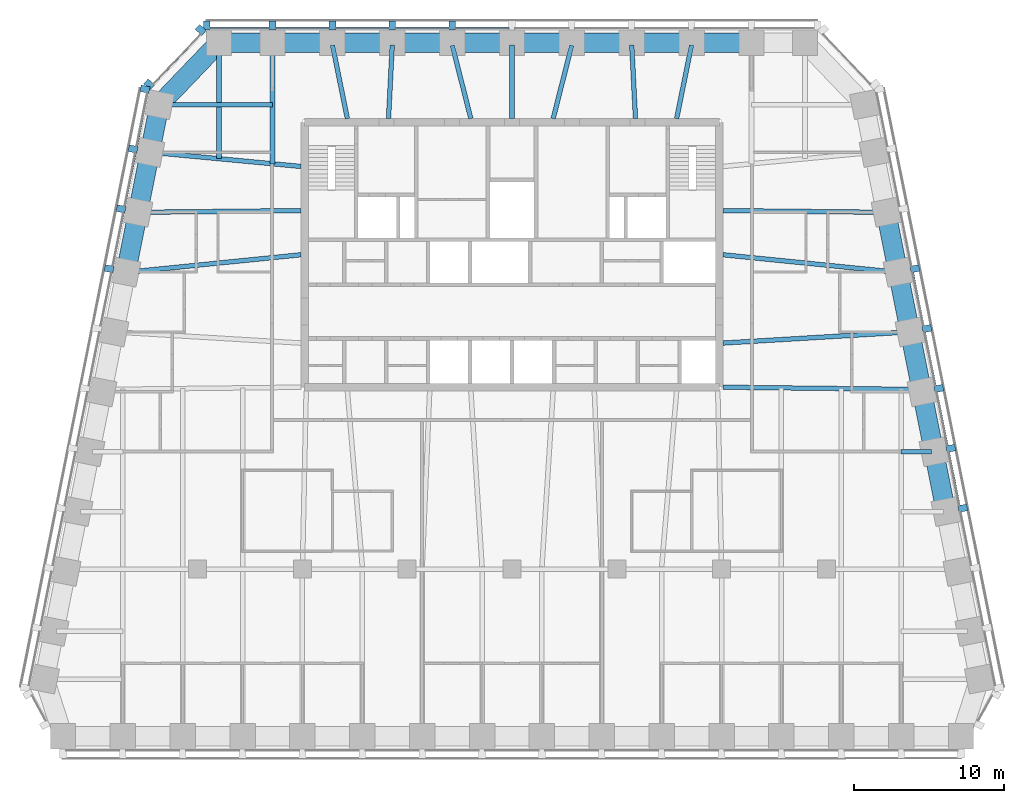
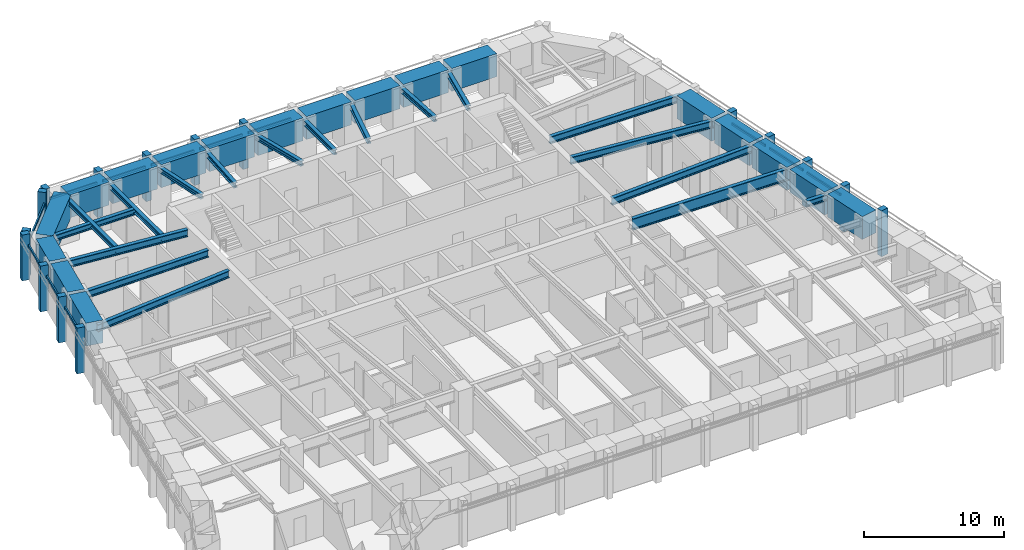
# One storey, part 3 of 11: 36 beams, 29 members, 4 elements without a shape of their own.
"""IFC4 building model written with IfcOpenShell, lengths in metres."""

from ifc_helpers import new_model, si_unit, direction, frame, origin, origin_2d, place, context, subcontext, project, spatial, rectangle, i_section, extrude, material, material_profile, profile_set, type_object, element, aggregate, save


model = new_model("IFC4")

# Units and contexts
model_context = context("Model", 3, precision=1e-05, world=origin(), true_north=direction((0.0, 1.0)))
body_context = subcontext(model_context, "Body", "Model", "MODEL_VIEW")
ifc_project = project(units=[si_unit("LENGTHUNIT", "METRE"), si_unit("AREAUNIT", "SQUARE_METRE"), si_unit("VOLUMEUNIT", "CUBIC_METRE"), si_unit("PLANEANGLEUNIT", "RADIAN"), si_unit("MASSUNIT", "GRAM", prefix="KILO")], contexts=[model_context])

# Site, building, storey
site_placement = place(None, origin())
site = spatial("IfcSite", under=ifc_project, at=site_placement, CompositionType="ELEMENT")
building_placement = place(site_placement, origin())
building = spatial("IfcBuilding", under=site, at=building_placement, Name="Isbrekke Arena Tower", CompositionType="ELEMENT")
storey_placement = place(building_placement, frame((0.0, 0.0, 248.0)))
storey = spatial("IfcBuildingStorey", under=building, at=storey_placement, Name="L57", CompositionType="ELEMENT", Elevation=248.0)

# Beams
ifc_material_1 = material(Name="Steel S355", Category="steel")
ifc_material_profile_1 = material_profile(ifc_material_1, i_section(OverallWidth=0.304931640625, OverallDepth=0.6201171875, WebThickness=0.02099609375, FlangeThickness=0.0400390625, FilletRadius=0.027099609375, at=origin_2d()), Name="HEM 600")
ifc_profile_set_1 = profile_set([ifc_material_profile_1], Name="Steel S355")
beam_type_1 = type_object("IfcBeamType", Name="B4 HEM 600", PredefinedType="BEAM", material=ifc_profile_set_1)
beam_1_placement = place(storey_placement, frame((26.431884765625, 9.837646484375, 3.5400390625), z_axis=(-0.998216240514, -0.059702070095, 0.0), x_axis=(0.059702070095, -0.998216240514, 0.0)))
element("IfcBeam", 1, at=beam_1_placement, inside=storey, type_object=beam_type_1, Name="B4 beam E-E07 L57", PredefinedType="BEAM", context=body_context, shape_type="SweptSolid", body=[
    extrude(i_section(OverallWidth=0.304931640625, OverallDepth=0.6201171875, WebThickness=0.02099609375, FlangeThickness=0.0400390625, FilletRadius=0.027099609375, at=origin_2d()), origin(), (0.0, 0.0, 1.0), 12.353759765625),
])
beam_2_placement = place(storey_placement, frame((25.625732421875, 13.83984375, 3.5400390625), z_axis=(-0.994972081505, 0.100152668587, 0.0), x_axis=(-0.100152668587, -0.994972081505, 0.0)))
element("IfcBeam", 2, at=beam_2_placement, inside=storey, type_object=beam_type_1, Name="B4 beam E-E08 L57", PredefinedType="BEAM", context=body_context, shape_type="SweptSolid", body=[
    extrude(i_section(OverallWidth=0.304931640625, OverallDepth=0.6201171875, WebThickness=0.02099609375, FlangeThickness=0.0400390625, FilletRadius=0.027099609375, at=origin_2d()), origin(), (0.0, 0.0, 1.0), 11.583984375),
])
beam_3_placement = place(storey_placement, frame((24.83935546875, 17.838134765625, 3.5400390625), z_axis=(-0.999945800258, 0.010411366203, 0.0), x_axis=(-0.010411366203, -0.999945800258, 0.0)))
element("IfcBeam", 3, at=beam_3_placement, inside=storey, type_object=beam_type_1, Name="B4 beam E-E09 L57", PredefinedType="BEAM", context=body_context, shape_type="SweptSolid", body=[
    extrude(i_section(OverallWidth=0.304931640625, OverallDepth=0.6201171875, WebThickness=0.02099609375, FlangeThickness=0.0400390625, FilletRadius=0.027099609375, at=origin_2d()), origin(), (0.0, 0.0, 1.0), 10.73974609375),
])
beam_4_placement = place(storey_placement, frame((-24.02685546875, 21.8369140625, 3.5400390625), z_axis=(0.995574576627, -0.093974796485, 0.0), x_axis=(0.093974796485, 0.995574576627, 0.0)))
element("IfcBeam", 4, at=beam_4_placement, inside=storey, type_object=beam_type_1, Name="B4 beam E-W02 L57", PredefinedType="BEAM", context=body_context, shape_type="SweptSolid", body=[
    extrude(i_section(OverallWidth=0.304931640625, OverallDepth=0.6201171875, WebThickness=0.02099609375, FlangeThickness=0.0400390625, FilletRadius=0.027099609375, at=origin_2d()), origin(), (0.0, 0.0, 1.0), 9.970947265625),
])
beam_5_placement = place(storey_placement, frame((-24.83935546875, 17.838134765625, 3.5400390625), z_axis=(0.999945800258, 0.010411366203, 0.0), x_axis=(-0.010411366203, 0.999945800258, 0.0)))
element("IfcBeam", 5, at=beam_5_placement, inside=storey, type_object=beam_type_1, Name="B4 beam E-W03 L57", PredefinedType="BEAM", context=body_context, shape_type="SweptSolid", body=[
    extrude(i_section(OverallWidth=0.304931640625, OverallDepth=0.6201171875, WebThickness=0.02099609375, FlangeThickness=0.0400390625, FilletRadius=0.027099609375, at=origin_2d()), origin(), (0.0, 0.0, 1.0), 10.73974609375),
])
beam_6_placement = place(storey_placement, frame((-25.625732421875, 13.83984375, 3.5400390625), z_axis=(0.994972081505, 0.100152668587, 0.0), x_axis=(-0.100152668587, 0.994972081505, 0.0)))
element("IfcBeam", 6, at=beam_6_placement, inside=storey, type_object=beam_type_1, Name="B4 beam E-W04 L57", PredefinedType="BEAM", context=body_context, shape_type="SweptSolid", body=[
    extrude(i_section(OverallWidth=0.304931640625, OverallDepth=0.6201171875, WebThickness=0.02099609375, FlangeThickness=0.0400390625, FilletRadius=0.027099609375, at=origin_2d()), origin(), (0.0, 0.0, 1.0), 11.583984375),
])
ifc_material_2 = material(Name="Steel S355", Category="steel")
ifc_material_profile_2 = material_profile(ifc_material_2, i_section(OverallWidth=0.305908203125, OverallDepth=0.52392578125, WebThickness=0.02099609375, FlangeThickness=0.0400390625, FilletRadius=0.027099609375, at=origin_2d()), Name="HEM 500")
ifc_profile_set_2 = profile_set([ifc_material_profile_2], Name="Steel S355")
beam_type_2 = type_object("IfcBeamType", Name="B5 HEM 500", PredefinedType="BEAM", material=ifc_profile_set_2)
beam_7_placement = place(storey_placement, frame((28.041015625, 1.838134765625, 3.587890625), z_axis=(-1.0, 0.0, 0.0), x_axis=(0.0, -1.0, 0.0)))
element("IfcBeam", 7, at=beam_7_placement, inside=storey, type_object=beam_type_2, Name="B5 beam E-E05 L57", PredefinedType="BEAM", context=body_context, shape_type="SweptSolid", body=[
    extrude(i_section(OverallWidth=0.305908203125, OverallDepth=0.52392578125, WebThickness=0.02099609375, FlangeThickness=0.0400390625, FilletRadius=0.027099609375, at=origin_2d()), origin(), (0.0, 0.0, 1.0), 2.041015625),
])
beam_8_placement = place(storey_placement, frame((-23.40283203125, 25.029296875, 3.587890625), z_axis=(1.0, 0.0, 0.0), x_axis=(0.0, 1.0, 0.0)))
element("IfcBeam", 8, at=beam_8_placement, inside=storey, type_object=beam_type_2, Name="B5 beam E-W01 L57", PredefinedType="BEAM", context=body_context, shape_type="SweptSolid", body=[
    extrude(i_section(OverallWidth=0.305908203125, OverallDepth=0.52392578125, WebThickness=0.02099609375, FlangeThickness=0.0400390625, FilletRadius=0.027099609375, at=origin_2d()), origin(), (0.0, 0.0, 1.0), 7.40283203125),
])
ifc_material_3 = material(Name="Steel S355", Category="steel")
ifc_material_profile_3 = material_profile(ifc_material_3, i_section(OverallWidth=0.306884765625, OverallDepth=0.431884765625, WebThickness=0.02099609375, FlangeThickness=0.0400390625, FilletRadius=0.027099609375, at=origin_2d()), Name="HEM 400")
ifc_profile_set_3 = profile_set([ifc_material_profile_3], Name="Steel S355")
beam_type_3 = type_object("IfcBeamType", Name="B6 HEM 400", PredefinedType="BEAM", material=ifc_profile_set_3)
beam_9_placement = place(storey_placement, frame((-16.0, 29.02490234375, 3.634033203125), z_axis=(0.0, -1.0, 0.0), x_axis=(1.0, 0.0, 0.0)))
element("IfcBeam", 9, at=beam_9_placement, inside=storey, type_object=beam_type_3, Name="B6 beam N-N10 L57", PredefinedType="BEAM", context=body_context, shape_type="SweptSolid", body=[
    extrude(i_section(OverallWidth=0.306884765625, OverallDepth=0.431884765625, WebThickness=0.02099609375, FlangeThickness=0.0400390625, FilletRadius=0.027099609375, at=origin_2d()), origin(), (0.0, 0.0, 1.0), 7.945556640625),
])
beam_10_placement = place(storey_placement, frame((-19.574951171875, 29.02490234375, 3.634033203125), z_axis=(0.0, -1.0, 0.0), x_axis=(1.0, 0.0, 0.0)))
element("IfcBeam", 10, at=beam_10_placement, inside=storey, type_object=beam_type_3, Name="B6 beam N-N11 L57", PredefinedType="BEAM", context=body_context, shape_type="SweptSolid", body=[
    extrude(i_section(OverallWidth=0.306884765625, OverallDepth=0.431884765625, WebThickness=0.02099609375, FlangeThickness=0.0400390625, FilletRadius=0.027099609375, at=origin_2d()), origin(), (0.0, 0.0, 1.0), 7.608154296875),
])
beam_11_placement = place(storey_placement, frame((11.993896484375, 28.9951171875, 3.634033203125), z_axis=(-0.198982177337, -0.980003108721, 0.0), x_axis=(0.980003108721, -0.198982177337, 0.0)))
element("IfcBeam", 11, at=beam_11_placement, inside=storey, type_object=beam_type_3, Name="B6 beam N-N03 L57", PredefinedType="BEAM", context=body_context, shape_type="SweptSolid", body=[
    extrude(i_section(OverallWidth=0.306884765625, OverallDepth=0.431884765625, WebThickness=0.02099609375, FlangeThickness=0.0400390625, FilletRadius=0.027099609375, at=origin_2d()), origin(), (0.0, 0.0, 1.0), 4.994873046875),
])
beam_12_placement = place(storey_placement, frame((8.00048828125, 29.017333984375, 3.634033203125), z_axis=(0.050677067868, -0.998715091902, 0.0), x_axis=(0.998715091902, 0.050677067868, 0.0)))
element("IfcBeam", 12, at=beam_12_placement, inside=storey, type_object=beam_type_3, Name="B6 beam N-N04 L57", PredefinedType="BEAM", context=body_context, shape_type="SweptSolid", body=[
    extrude(i_section(OverallWidth=0.306884765625, OverallDepth=0.431884765625, WebThickness=0.02099609375, FlangeThickness=0.0400390625, FilletRadius=0.027099609375, at=origin_2d()), origin(), (0.0, 0.0, 1.0), 4.923583984375),
])
beam_13_placement = place(storey_placement, frame((3.99072265625, 28.98828125, 3.634033203125), z_axis=(-0.246019579109, -0.969264858898, 0.0), x_axis=(0.969264858898, -0.246019579109, 0.0)))
element("IfcBeam", 13, at=beam_13_placement, inside=storey, type_object=beam_type_3, Name="B6 beam N-N05 L57", PredefinedType="BEAM", context=body_context, shape_type="SweptSolid", body=[
    extrude(i_section(OverallWidth=0.306884765625, OverallDepth=0.431884765625, WebThickness=0.02099609375, FlangeThickness=0.0400390625, FilletRadius=0.027099609375, at=origin_2d()), origin(), (0.0, 0.0, 1.0), 5.043212890625),
])
beam_14_placement = place(storey_placement, frame((0.0, 29.02490234375, 3.634033203125), z_axis=(0.0, -1.0, 0.0), x_axis=(1.0, 0.0, 0.0)))
element("IfcBeam", 14, at=beam_14_placement, inside=storey, type_object=beam_type_3, Name="B6 beam N-N06 L57", PredefinedType="BEAM", context=body_context, shape_type="SweptSolid", body=[
    extrude(i_section(OverallWidth=0.306884765625, OverallDepth=0.431884765625, WebThickness=0.02099609375, FlangeThickness=0.0400390625, FilletRadius=0.027099609375, at=origin_2d()), origin(), (0.0, 0.0, 1.0), 4.9248046875),
])
beam_15_placement = place(storey_placement, frame((-3.99072265625, 28.98828125, 3.634033203125), z_axis=(0.246019579109, -0.969264858898, 0.0), x_axis=(0.969264858898, 0.246019579109, 0.0)))
element("IfcBeam", 15, at=beam_15_placement, inside=storey, type_object=beam_type_3, Name="B6 beam N-N07 L57", PredefinedType="BEAM", context=body_context, shape_type="SweptSolid", body=[
    extrude(i_section(OverallWidth=0.306884765625, OverallDepth=0.431884765625, WebThickness=0.02099609375, FlangeThickness=0.0400390625, FilletRadius=0.027099609375, at=origin_2d()), origin(), (0.0, 0.0, 1.0), 5.043212890625),
])
beam_16_placement = place(storey_placement, frame((-8.00048828125, 29.017333984375, 3.634033203125), z_axis=(-0.050677067868, -0.998715091902, 0.0), x_axis=(0.998715091902, -0.050677067868, 0.0)))
element("IfcBeam", 16, at=beam_16_placement, inside=storey, type_object=beam_type_3, Name="B6 beam N-N08 L57", PredefinedType="BEAM", context=body_context, shape_type="SweptSolid", body=[
    extrude(i_section(OverallWidth=0.306884765625, OverallDepth=0.431884765625, WebThickness=0.02099609375, FlangeThickness=0.0400390625, FilletRadius=0.027099609375, at=origin_2d()), origin(), (0.0, 0.0, 1.0), 4.923583984375),
])
beam_17_placement = place(storey_placement, frame((-11.993896484375, 28.9951171875, 3.634033203125), z_axis=(0.198982177337, -0.980003108721, 0.0), x_axis=(0.980003108721, 0.198982177337, 0.0)))
element("IfcBeam", 17, at=beam_17_placement, inside=storey, type_object=beam_type_3, Name="B6 beam N-N09 L57", PredefinedType="BEAM", context=body_context, shape_type="SweptSolid", body=[
    extrude(i_section(OverallWidth=0.306884765625, OverallDepth=0.431884765625, WebThickness=0.02099609375, FlangeThickness=0.0400390625, FilletRadius=0.027099609375, at=origin_2d()), origin(), (0.0, 0.0, 1.0), 4.994873046875),
])

# Curtain wall, members
ifc_material_4 = material(Name="Glazed aluminium curtain wall", Category="aluminium")
curtain_wall_type = type_object("IfcCurtainWallType", Name="CWT TOWER CURTAIN WALL TOP ZONE", PredefinedType="USERDEFINED", material=ifc_material_4)
curtain_wall_1_placement = place(storey_placement, origin())
curtain_wall_1 = element("IfcCurtainWall", 18, at=curtain_wall_1_placement, inside=storey, type_object=curtain_wall_type, Name="CWT curtain wall L57-E", ObjectType="TOWER CURTAIN WALL TOP ZONE", PredefinedType="USERDEFINED")
ifc_material_5 = material(Name="Copper-clad aluminium mullion", Category="aluminium")
ifc_material_profile_4 = material_profile(ifc_material_5, rectangle(XDim=0.449951171875, YDim=0.60009765625, at=origin_2d()), Name="PIER 450X600")
ifc_profile_set_4 = profile_set([ifc_material_profile_4], Name="Copper-clad aluminium mullion")
member_type_1 = type_object("IfcMemberType", Name="CWT-M PIER MULLION 450 x 600", PredefinedType="MULLION", material=ifc_profile_set_4)
member_1_placement = place(storey_placement, frame((30.11865234375, -1.936279296875, 0.0), z_axis=(0.0, 0.0, 1.0), x_axis=(-0.196116135138, 0.980580675691, 0.0)))
member_1 = element("IfcMember", 19, at=member_1_placement, type_object=member_type_1, Name="CWT-M mullion 4", PredefinedType="MULLION", context=body_context, shape_type="SweptSolid", body=[
    extrude(rectangle(XDim=0.449951171875, YDim=0.60009765625, at=origin_2d()), origin(), (0.0, 0.0, 1.0), 4.0),
])
member_2_placement = place(storey_placement, frame((29.318603515625, 2.063720703125, 0.0), z_axis=(0.0, 0.0, 1.0), x_axis=(-0.196116135138, 0.980580675691, 0.0)))
member_2 = element("IfcMember", 20, at=member_2_placement, type_object=member_type_1, Name="CWT-M mullion 5", PredefinedType="MULLION", context=body_context, shape_type="SweptSolid", body=[
    extrude(rectangle(XDim=0.449951171875, YDim=0.60009765625, at=origin_2d()), origin(), (0.0, 0.0, 1.0), 4.0),
])
member_3_placement = place(storey_placement, frame((28.518798828125, 6.063720703125, 0.0), z_axis=(0.0, 0.0, 1.0), x_axis=(-0.196116135138, 0.980580675691, 0.0)))
member_3 = element("IfcMember", 21, at=member_3_placement, type_object=member_type_1, Name="CWT-M mullion 6", PredefinedType="MULLION", context=body_context, shape_type="SweptSolid", body=[
    extrude(rectangle(XDim=0.449951171875, YDim=0.60009765625, at=origin_2d()), origin(), (0.0, 0.0, 1.0), 4.0),
])
member_4_placement = place(storey_placement, frame((27.71875, 10.063720703125, 0.0), z_axis=(0.0, 0.0, 1.0), x_axis=(-0.196116135138, 0.980580675691, 0.0)))
member_4 = element("IfcMember", 22, at=member_4_placement, type_object=member_type_1, Name="CWT-M mullion 7", PredefinedType="MULLION", context=body_context, shape_type="SweptSolid", body=[
    extrude(rectangle(XDim=0.449951171875, YDim=0.60009765625, at=origin_2d()), origin(), (0.0, 0.0, 1.0), 4.0),
])
member_5_placement = place(storey_placement, frame((26.918701171875, 14.063720703125, 0.0), z_axis=(0.0, 0.0, 1.0), x_axis=(-0.196116135138, 0.980580675691, 0.0)))
member_5 = element("IfcMember", 23, at=member_5_placement, type_object=member_type_1, Name="CWT-M mullion 8", PredefinedType="MULLION", context=body_context, shape_type="SweptSolid", body=[
    extrude(rectangle(XDim=0.449951171875, YDim=0.60009765625, at=origin_2d()), origin(), (0.0, 0.0, 1.0), 4.0),
])

curtain_wall_2_placement = place(storey_placement, origin())
curtain_wall_2 = element("IfcCurtainWall", 24, at=curtain_wall_2_placement, inside=storey, type_object=curtain_wall_type, Name="CWT curtain wall L57-N", ObjectType="TOWER CURTAIN WALL TOP ZONE", PredefinedType="USERDEFINED")
member_6_placement = place(storey_placement, frame((-4.0, 30.324951171875, 0.0), z_axis=(0.0, 0.0, 1.0), x_axis=(-1.0, 0.0, 0.0)))
member_6 = element("IfcMember", 25, at=member_6_placement, type_object=member_type_1, Name="CWT-M mullion 7", PredefinedType="MULLION", context=body_context, shape_type="SweptSolid", body=[
    extrude(rectangle(XDim=0.449951171875, YDim=0.60009765625, at=origin_2d()), origin(), (0.0, 0.0, 1.0), 4.0),
])
member_7_placement = place(storey_placement, frame((-8.0, 30.324951171875, 0.0), z_axis=(0.0, 0.0, 1.0), x_axis=(-1.0, 0.0, 0.0)))
member_7 = element("IfcMember", 26, at=member_7_placement, type_object=member_type_1, Name="CWT-M mullion 8", PredefinedType="MULLION", context=body_context, shape_type="SweptSolid", body=[
    extrude(rectangle(XDim=0.449951171875, YDim=0.60009765625, at=origin_2d()), origin(), (0.0, 0.0, 1.0), 4.0),
])
member_8_placement = place(storey_placement, frame((-12.0, 30.324951171875, 0.0), z_axis=(0.0, 0.0, 1.0), x_axis=(-1.0, 0.0, 0.0)))
member_8 = element("IfcMember", 27, at=member_8_placement, type_object=member_type_1, Name="CWT-M mullion 9", PredefinedType="MULLION", context=body_context, shape_type="SweptSolid", body=[
    extrude(rectangle(XDim=0.449951171875, YDim=0.60009765625, at=origin_2d()), origin(), (0.0, 0.0, 1.0), 4.0),
])
member_9_placement = place(storey_placement, frame((-16.0, 30.324951171875, 0.0), z_axis=(0.0, 0.0, 1.0), x_axis=(-1.0, 0.0, 0.0)))
member_9 = element("IfcMember", 28, at=member_9_placement, type_object=member_type_1, Name="CWT-M mullion 10", PredefinedType="MULLION", context=body_context, shape_type="SweptSolid", body=[
    extrude(rectangle(XDim=0.449951171875, YDim=0.60009765625, at=origin_2d()), origin(), (0.0, 0.0, 1.0), 4.0),
])
member_10_placement = place(storey_placement, frame((-20.39990234375, 30.324951171875, 0.0), z_axis=(0.0, 0.0, 1.0), x_axis=(-1.0, 0.0, 0.0)))
member_10 = element("IfcMember", 29, at=member_10_placement, type_object=member_type_1, Name="CWT-M mullion 11", PredefinedType="MULLION", context=body_context, shape_type="SweptSolid", body=[
    extrude(rectangle(XDim=0.449951171875, YDim=0.60009765625, at=origin_2d()), origin(), (0.0, 0.0, 1.0), 4.0),
])

curtain_wall_3_placement = place(storey_placement, origin())
curtain_wall_3 = element("IfcCurtainWall", 30, at=curtain_wall_3_placement, inside=storey, type_object=curtain_wall_type, Name="CWT curtain wall L57-NW", ObjectType="TOWER CURTAIN WALL TOP ZONE", PredefinedType="USERDEFINED")
member_11_placement = place(storey_placement, frame((-20.795166015625, 30.01953125, 0.0), z_axis=(0.0, 0.0, 1.0), x_axis=(-0.68874946192, -0.72499943359, 0.0)))
member_11 = element("IfcMember", 31, at=member_11_placement, type_object=member_type_1, Name="CWT-M mullion 1", PredefinedType="MULLION", context=body_context, shape_type="SweptSolid", body=[
    extrude(rectangle(XDim=0.449951171875, YDim=0.60009765625, at=origin_2d()), origin(), (0.0, 0.0, 1.0), 4.0),
])
member_12_placement = place(storey_placement, frame((-24.243896484375, 26.389404296875, 0.0), z_axis=(0.0, 0.0, 1.0), x_axis=(-0.68874946192, -0.72499943359, 0.0)))
member_12 = element("IfcMember", 32, at=member_12_placement, type_object=member_type_1, Name="CWT-M mullion 2", PredefinedType="MULLION", context=body_context, shape_type="SweptSolid", body=[
    extrude(rectangle(XDim=0.449951171875, YDim=0.60009765625, at=origin_2d()), origin(), (0.0, 0.0, 1.0), 4.0),
])

curtain_wall_4_placement = place(storey_placement, origin())
curtain_wall_4 = element("IfcCurtainWall", 33, at=curtain_wall_4_placement, inside=storey, type_object=curtain_wall_type, Name="CWT curtain wall L57-W", ObjectType="TOWER CURTAIN WALL TOP ZONE", PredefinedType="USERDEFINED")
member_13_placement = place(storey_placement, frame((-24.518798828125, 26.063720703125, 0.0), z_axis=(0.0, 0.0, 1.0), x_axis=(-0.196116135138, -0.980580675691, 0.0)))
member_13 = element("IfcMember", 34, at=member_13_placement, type_object=member_type_1, Name="CWT-M mullion 1", PredefinedType="MULLION", context=body_context, shape_type="SweptSolid", body=[
    extrude(rectangle(XDim=0.449951171875, YDim=0.60009765625, at=origin_2d()), origin(), (0.0, 0.0, 1.0), 4.0),
])
member_14_placement = place(storey_placement, frame((-25.318603515625, 22.063720703125, 0.0), z_axis=(0.0, 0.0, 1.0), x_axis=(-0.196116135138, -0.980580675691, 0.0)))
member_14 = element("IfcMember", 35, at=member_14_placement, type_object=member_type_1, Name="CWT-M mullion 2", PredefinedType="MULLION", context=body_context, shape_type="SweptSolid", body=[
    extrude(rectangle(XDim=0.449951171875, YDim=0.60009765625, at=origin_2d()), origin(), (0.0, 0.0, 1.0), 4.0),
])
member_15_placement = place(storey_placement, frame((-26.11865234375, 18.063720703125, 0.0), z_axis=(0.0, 0.0, 1.0), x_axis=(-0.196116135138, -0.980580675691, 0.0)))
member_15 = element("IfcMember", 36, at=member_15_placement, type_object=member_type_1, Name="CWT-M mullion 3", PredefinedType="MULLION", context=body_context, shape_type="SweptSolid", body=[
    extrude(rectangle(XDim=0.449951171875, YDim=0.60009765625, at=origin_2d()), origin(), (0.0, 0.0, 1.0), 4.0),
])
member_16_placement = place(storey_placement, frame((-26.918701171875, 14.063720703125, 0.0), z_axis=(0.0, 0.0, 1.0), x_axis=(-0.196116135138, -0.980580675691, 0.0)))
member_16 = element("IfcMember", 37, at=member_16_placement, type_object=member_type_1, Name="CWT-M mullion 4", PredefinedType="MULLION", context=body_context, shape_type="SweptSolid", body=[
    extrude(rectangle(XDim=0.449951171875, YDim=0.60009765625, at=origin_2d()), origin(), (0.0, 0.0, 1.0), 4.0),
])

# Member
ifc_material_6 = material(Name="Aluminium transom", Category="aluminium")
ifc_material_profile_5 = material_profile(ifc_material_6, rectangle(XDim=0.1201171875, YDim=0.199951171875, at=origin_2d()), Name="TRANSOM 120X200")
ifc_profile_set_5 = profile_set([ifc_material_profile_5], Name="Aluminium transom")
member_type_2 = type_object("IfcMemberType", Name="CWT-T TRANSOM 120 x 200", PredefinedType="USERDEFINED", material=ifc_profile_set_5)
member_17_placement = place(storey_placement, frame((29.87841796875, -1.7548828125, 3.0), z_axis=(-0.196090262229, 0.980585849918, 0.0), x_axis=(-0.980585849918, -0.196090262229, 0.0)))
member_17 = element("IfcMember", 38, at=member_17_placement, type_object=member_type_2, Name="CWT-T transom 4", ObjectType="TRANSOM", PredefinedType="USERDEFINED", context=body_context, shape_type="SweptSolid", body=[
    extrude(rectangle(XDim=0.1201171875, YDim=0.199951171875, at=origin_2d()), origin(), (0.0, 0.0, 1.0), 3.62939453125),
])

member_18_placement = place(storey_placement, frame((29.078369140625, 2.2451171875, 3.0), z_axis=(-0.196090262229, 0.980585849918, 0.0), x_axis=(-0.980585849918, -0.196090262229, 0.0)))
member_18 = element("IfcMember", 39, at=member_18_placement, type_object=member_type_2, Name="CWT-T transom 5", ObjectType="TRANSOM", PredefinedType="USERDEFINED", context=body_context, shape_type="SweptSolid", body=[
    extrude(rectangle(XDim=0.1201171875, YDim=0.199951171875, at=origin_2d()), origin(), (0.0, 0.0, 1.0), 3.62939453125),
])

member_19_placement = place(storey_placement, frame((28.278564453125, 6.2451171875, 3.0), z_axis=(-0.196154943734, 0.980572913173, 0.0), x_axis=(-0.980572913173, -0.196154943734, 0.0)))
member_19 = element("IfcMember", 40, at=member_19_placement, type_object=member_type_2, Name="CWT-T transom 6", ObjectType="TRANSOM", PredefinedType="USERDEFINED", context=body_context, shape_type="SweptSolid", body=[
    extrude(rectangle(XDim=0.1201171875, YDim=0.199951171875, at=origin_2d()), origin(), (0.0, 0.0, 1.0), 3.62939453125),
])

member_20_placement = place(storey_placement, frame((27.478515625, 10.2451171875, 3.0), z_axis=(-0.196154943734, 0.980572913173, 0.0), x_axis=(-0.980572913173, -0.196154943734, 0.0)))
member_20 = element("IfcMember", 41, at=member_20_placement, type_object=member_type_2, Name="CWT-T transom 7", ObjectType="TRANSOM", PredefinedType="USERDEFINED", context=body_context, shape_type="SweptSolid", body=[
    extrude(rectangle(XDim=0.1201171875, YDim=0.199951171875, at=origin_2d()), origin(), (0.0, 0.0, 1.0), 3.62939453125),
])

aggregate(curtain_wall_1, [member_1, member_2, member_3, member_4, member_5, member_17, member_18, member_19, member_20])

member_21_placement = place(storey_placement, frame((-0.22509765625, 30.125, 3.0), z_axis=(-1.0, 0.0, 0.0), x_axis=(0.0, -1.0, 0.0)))
member_21 = element("IfcMember", 42, at=member_21_placement, type_object=member_type_2, Name="CWT-T transom 6", ObjectType="TRANSOM", PredefinedType="USERDEFINED", context=body_context, shape_type="SweptSolid", body=[
    extrude(rectangle(XDim=0.1201171875, YDim=0.199951171875, at=origin_2d()), origin(), (0.0, 0.0, 1.0), 3.5498046875),
])

member_22_placement = place(storey_placement, frame((-4.22509765625, 30.125, 3.0), z_axis=(-1.0, 0.0, 0.0), x_axis=(0.0, -1.0, 0.0)))
member_22 = element("IfcMember", 43, at=member_22_placement, type_object=member_type_2, Name="CWT-T transom 7", ObjectType="TRANSOM", PredefinedType="USERDEFINED", context=body_context, shape_type="SweptSolid", body=[
    extrude(rectangle(XDim=0.1201171875, YDim=0.199951171875, at=origin_2d()), origin(), (0.0, 0.0, 1.0), 3.5498046875),
])

member_23_placement = place(storey_placement, frame((-8.22509765625, 30.125, 3.0), z_axis=(-1.0, 0.0, 0.0), x_axis=(0.0, -1.0, 0.0)))
member_23 = element("IfcMember", 44, at=member_23_placement, type_object=member_type_2, Name="CWT-T transom 8", ObjectType="TRANSOM", PredefinedType="USERDEFINED", context=body_context, shape_type="SweptSolid", body=[
    extrude(rectangle(XDim=0.1201171875, YDim=0.199951171875, at=origin_2d()), origin(), (0.0, 0.0, 1.0), 3.5498046875),
])

member_24_placement = place(storey_placement, frame((-12.22509765625, 30.125, 3.0), z_axis=(-1.0, 0.0, 0.0), x_axis=(0.0, -1.0, 0.0)))
member_24 = element("IfcMember", 45, at=member_24_placement, type_object=member_type_2, Name="CWT-T transom 9", ObjectType="TRANSOM", PredefinedType="USERDEFINED", context=body_context, shape_type="SweptSolid", body=[
    extrude(rectangle(XDim=0.1201171875, YDim=0.199951171875, at=origin_2d()), origin(), (0.0, 0.0, 1.0), 3.5498046875),
])

member_25_placement = place(storey_placement, frame((-16.22509765625, 30.125, 3.0), z_axis=(-1.0, 0.0, 0.0), x_axis=(0.0, -1.0, 0.0)))
member_25 = element("IfcMember", 46, at=member_25_placement, type_object=member_type_2, Name="CWT-T transom 10", ObjectType="TRANSOM", PredefinedType="USERDEFINED", context=body_context, shape_type="SweptSolid", body=[
    extrude(rectangle(XDim=0.1201171875, YDim=0.199951171875, at=origin_2d()), origin(), (0.0, 0.0, 1.0), 3.949951171875),
])

aggregate(curtain_wall_2, [member_6, member_7, member_8, member_9, member_10, member_21, member_22, member_23, member_24, member_25])

member_26_placement = place(storey_placement, frame((-20.80517578125, 29.71875, 3.0), z_axis=(-0.688739606035, -0.725008796552, 0.0), x_axis=(0.725008796552, -0.688739606035, 0.0)))
member_26 = element("IfcMember", 47, at=member_26_placement, type_object=member_type_2, Name="CWT-T transom 1", ObjectType="TRANSOM", PredefinedType="USERDEFINED", context=body_context, shape_type="SweptSolid", body=[
    extrude(rectangle(XDim=0.1201171875, YDim=0.199951171875, at=origin_2d()), origin(), (0.0, 0.0, 1.0), 4.55712890625),
])

aggregate(curtain_wall_3, [member_11, member_12, member_26])

member_27_placement = place(storey_placement, frame((-24.36669921875, 25.803955078125, 3.0), z_axis=(-0.196090262229, -0.980585849918, 0.0), x_axis=(0.980585849918, -0.196090262229, 0.0)))
member_27 = element("IfcMember", 48, at=member_27_placement, type_object=member_type_2, Name="CWT-T transom 1", ObjectType="TRANSOM", PredefinedType="USERDEFINED", context=body_context, shape_type="SweptSolid", body=[
    extrude(rectangle(XDim=0.1201171875, YDim=0.199951171875, at=origin_2d()), origin(), (0.0, 0.0, 1.0), 3.62939453125),
])

member_28_placement = place(storey_placement, frame((-25.166748046875, 21.803955078125, 3.0), z_axis=(-0.196090262229, -0.980585849918, 0.0), x_axis=(0.980585849918, -0.196090262229, 0.0)))
member_28 = element("IfcMember", 49, at=member_28_placement, type_object=member_type_2, Name="CWT-T transom 2", ObjectType="TRANSOM", PredefinedType="USERDEFINED", context=body_context, shape_type="SweptSolid", body=[
    extrude(rectangle(XDim=0.1201171875, YDim=0.199951171875, at=origin_2d()), origin(), (0.0, 0.0, 1.0), 3.62939453125),
])

member_29_placement = place(storey_placement, frame((-25.966796875, 17.803955078125, 3.0), z_axis=(-0.196090262229, -0.980585849918, 0.0), x_axis=(0.980585849918, -0.196090262229, 0.0)))
member_29 = element("IfcMember", 50, at=member_29_placement, type_object=member_type_2, Name="CWT-T transom 3", ObjectType="TRANSOM", PredefinedType="USERDEFINED", context=body_context, shape_type="SweptSolid", body=[
    extrude(rectangle(XDim=0.1201171875, YDim=0.199951171875, at=origin_2d()), origin(), (0.0, 0.0, 1.0), 3.62939453125),
])

aggregate(curtain_wall_4, [member_13, member_14, member_15, member_16, member_27, member_28, member_29])

# Beams
ifc_material_7 = material(Name="Steel S355", Category="steel")
ifc_material_profile_6 = material_profile(ifc_material_7, i_section(OverallWidth=0.302001953125, OverallDepth=1.008056640625, WebThickness=0.02099609375, FlangeThickness=0.0400390625, FilletRadius=0.030029296875, at=origin_2d()), Name="HEM 1000")
ifc_profile_set_6 = profile_set([ifc_material_profile_6], Name="Steel S355")
beam_type_4 = type_object("IfcBeamType", Name="G2 HEM 1000", PredefinedType="BEAM", material=ifc_profile_set_6)
beam_18_placement = place(storey_placement, frame((14.10009765625, 6.14990234375, 3.345947265625), z_axis=(0.999936387749, -0.011279204565, 0.0), x_axis=(0.011279204565, 0.999936387749, 0.0)))
element("IfcBeam", 51, at=beam_18_placement, inside=storey, type_object=beam_type_4, Name="G2 beam G2-E L57", PredefinedType="BEAM", context=body_context, shape_type="SweptSolid", body=[
    extrude(i_section(OverallWidth=0.302001953125, OverallDepth=1.008056640625, WebThickness=0.02099609375, FlangeThickness=0.0400390625, FilletRadius=0.030029296875, at=origin_2d()), origin(), (0.0, 0.0, 1.0), 13.2900390625),
])
ifc_material_8 = material(Name="Concrete B55 (C55/67)", Category="concrete")
ifc_material_profile_7 = material_profile(ifc_material_8, rectangle(XDim=1.300048828125, YDim=2.0, at=origin_2d()), Name="RC 1300x2000")
ifc_profile_set_7 = profile_set([ifc_material_profile_7], Name="Concrete B55 (C55/67)")
beam_type_5 = type_object("IfcBeamType", Name="SB4 RC 1300 x 2000", PredefinedType="SPANDREL", material=ifc_profile_set_7)
for number, where, z_axis, x_axis, name in (
    (52, (28.961669921875, -2.0146484375, 3.0), (-0.196128558387, 0.980578190959, 0.0), (-0.980578190959, -0.196128558387, 0.0), "SB4 spandrel E04-E05 L57"),
    (53, (28.16162109375, 1.9853515625, 3.0), (-0.196128558387, 0.980578190959, 0.0), (-0.980578190959, -0.196128558387, 0.0), "SB4 spandrel E05-E06 L57"),
    (54, (27.361572265625, 5.9853515625, 3.0), (-0.196128558387, 0.980578190959, 0.0), (-0.980578190959, -0.196128558387, 0.0), "SB4 spandrel E06-E07 L57"),
):
    element("IfcBeam", number, at=place(storey_placement, frame(where, z_axis=z_axis, x_axis=x_axis)), inside=storey, type_object=beam_type_5, Name=name, PredefinedType="SPANDREL", context=body_context, shape_type="SweptSolid", body=[
        extrude(rectangle(XDim=1.300048828125, YDim=2.0, at=origin_2d()), origin(), (0.0, 0.0, 1.0), 3.779296875),
    ])
beam_19_placement = place(storey_placement, frame((26.5615234375, 9.9853515625, 3.0), z_axis=(-0.1960664412, 0.980590613169, 0.0), x_axis=(-0.980590613169, -0.1960664412, 0.0)))
element("IfcBeam", 55, at=beam_19_placement, inside=storey, type_object=beam_type_5, Name="SB4 spandrel E07-E08 L57", PredefinedType="SPANDREL", context=body_context, shape_type="SweptSolid", body=[
    extrude(rectangle(XDim=1.300048828125, YDim=2.0, at=origin_2d()), origin(), (0.0, 0.0, 1.0), 3.779052734375),
])
beam_20_placement = place(storey_placement, frame((25.76171875, 13.9853515625, 3.0), z_axis=(-0.196128558387, 0.980578190959, 0.0), x_axis=(-0.980578190959, -0.196128558387, 0.0)))
element("IfcBeam", 56, at=beam_20_placement, inside=storey, type_object=beam_type_5, Name="SB4 spandrel E08-E09 L57", PredefinedType="SPANDREL", context=body_context, shape_type="SweptSolid", body=[
    extrude(rectangle(XDim=1.300048828125, YDim=2.0, at=origin_2d()), origin(), (0.0, 0.0, 1.0), 3.779296875),
])
for number, where, z_axis, x_axis, name in (
    (57, (15.85009765625, 29.175048828125, 3.0), (-1.0, 0.0, 0.0), (0.0, -1.0, 0.0), "SB4 spandrel N02-N03 L57"),
    (58, (11.85009765625, 29.175048828125, 3.0), (-1.0, 0.0, 0.0), (0.0, -1.0, 0.0), "SB4 spandrel N03-N04 L57"),
    (59, (7.85009765625, 29.175048828125, 3.0), (-1.0, 0.0, 0.0), (0.0, -1.0, 0.0), "SB4 spandrel N04-N05 L57"),
    (60, (3.85009765625, 29.175048828125, 3.0), (-1.0, 0.0, 0.0), (0.0, -1.0, 0.0), "SB4 spandrel N05-N06 L57"),
    (61, (-0.14990234375, 29.175048828125, 3.0), (-1.0, 0.0, 0.0), (0.0, -1.0, 0.0), "SB4 spandrel N06-N07 L57"),
    (62, (-4.14990234375, 29.175048828125, 3.0), (-1.0, 0.0, 0.0), (0.0, -1.0, 0.0), "SB4 spandrel N07-N08 L57"),
    (63, (-8.14990234375, 29.175048828125, 3.0), (-1.0, 0.0, 0.0), (0.0, -1.0, 0.0), "SB4 spandrel N08-N09 L57"),
    (64, (-12.14990234375, 29.175048828125, 3.0), (-1.0, 0.0, 0.0), (0.0, -1.0, 0.0), "SB4 spandrel N09-N10 L57"),
):
    element("IfcBeam", number, at=place(storey_placement, frame(where, z_axis=z_axis, x_axis=x_axis)), inside=storey, type_object=beam_type_5, Name=name, PredefinedType="SPANDREL", context=body_context, shape_type="SweptSolid", body=[
        extrude(rectangle(XDim=1.300048828125, YDim=2.0, at=origin_2d()), origin(), (0.0, 0.0, 1.0), 3.7001953125),
    ])
beam_21_placement = place(storey_placement, frame((-16.14990234375, 29.175048828125, 3.0), z_axis=(-1.0, 0.0, 0.0), x_axis=(0.0, -1.0, 0.0)))
element("IfcBeam", 65, at=beam_21_placement, inside=storey, type_object=beam_type_5, Name="SB4 spandrel N10-N11 L57", PredefinedType="SPANDREL", context=body_context, shape_type="SweptSolid", body=[
    extrude(rectangle(XDim=1.300048828125, YDim=2.0, at=origin_2d()), origin(), (0.0, 0.0, 1.0), 3.275146484375),
])
beam_22_placement = place(storey_placement, frame((-19.678955078125, 29.066650390625, 3.0), z_axis=(-0.692339547635, -0.721571861134, 0.0), x_axis=(0.721571861134, -0.692339547635, 0.0)))
element("IfcBeam", 66, at=beam_22_placement, inside=storey, type_object=beam_type_5, Name="SB4 spandrel N11-W01 L57", PredefinedType="SPANDREL", context=body_context, shape_type="SweptSolid", body=[
    extrude(rectangle(XDim=1.300048828125, YDim=2.0, at=origin_2d()), origin(), (0.0, 0.0, 1.0), 5.4453125),
])
beam_23_placement = place(storey_placement, frame((-23.582275390625, 24.882080078125, 3.0), z_axis=(-0.196116135138, -0.980580675691, 0.0), x_axis=(0.980580675691, -0.196116135138, 0.0)))
element("IfcBeam", 67, at=beam_23_placement, inside=storey, type_object=beam_type_5, Name="SB4 spandrel W01-W02 L57", PredefinedType="SPANDREL", context=body_context, shape_type="SweptSolid", body=[
    extrude(rectangle(XDim=1.300048828125, YDim=2.0, at=origin_2d()), origin(), (0.0, 0.0, 1.0), 2.9541015625),
])
for number, where, z_axis, x_axis, name in (
    (68, (-24.220458984375, 21.691162109375, 3.0), (-0.196128558387, -0.980578190959, 0.0), (0.980578190959, -0.196128558387, 0.0), "SB4 spandrel W02-W03 L57"),
    (69, (-25.0205078125, 17.691162109375, 3.0), (-0.196128558387, -0.980578190959, 0.0), (0.980578190959, -0.196128558387, 0.0), "SB4 spandrel W03-W04 L57"),
):
    element("IfcBeam", number, at=place(storey_placement, frame(where, z_axis=z_axis, x_axis=x_axis)), inside=storey, type_object=beam_type_5, Name=name, PredefinedType="SPANDREL", context=body_context, shape_type="SweptSolid", body=[
        extrude(rectangle(XDim=1.300048828125, YDim=2.0, at=origin_2d()), origin(), (0.0, 0.0, 1.0), 3.779296875),
    ])

save(model, "model.ifc")
